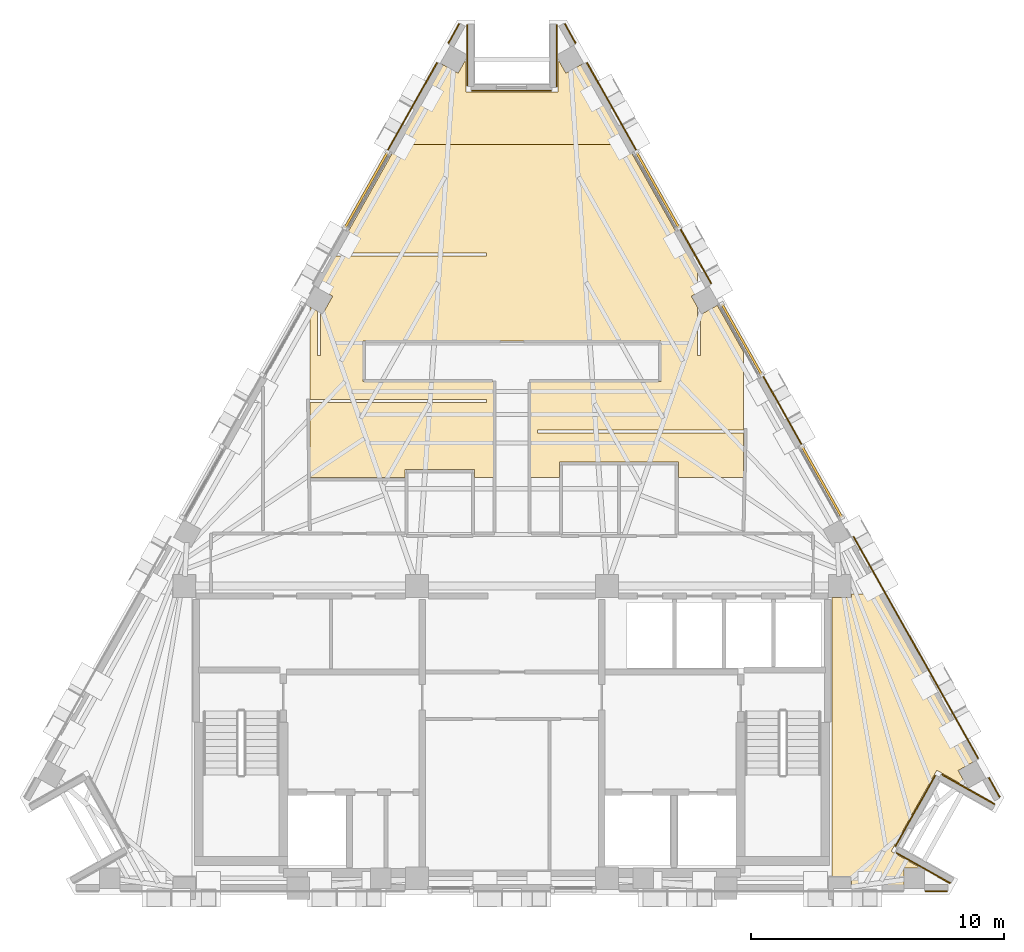
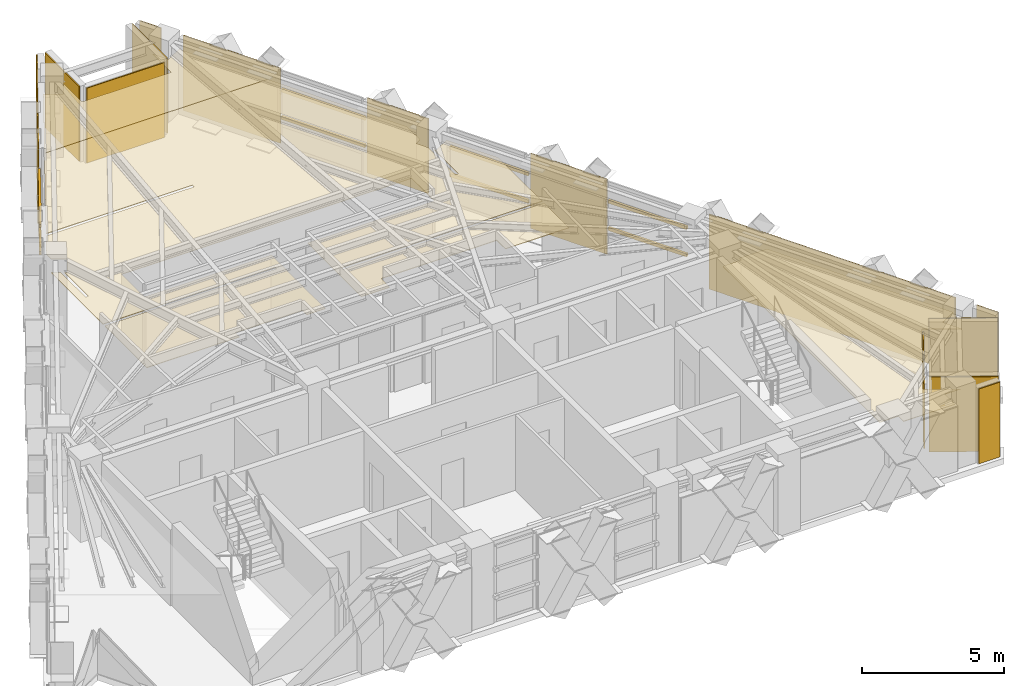
# One storey, part 11 of 11: 18 coverings, 8 shading devices.
"""IFC4 building model written with IfcOpenShell, lengths in metres."""

import ifcopenshell
import ifcopenshell.guid

model = None  # the IFC model being written
_history = None  # IfcOwnerHistory: only IFC2X3 demands one
_inside = {}  # id of a spatial element -> (the spatial element, [elements in it])
_under = {}  # id of a project, library or spatial element -> (it, [spatial elements below it])
_declared = {}  # id of a project -> (the project, [libraries it declares])
_typed = {}  # id of a type object -> (the type object, [elements of that type])
_made_of = {}  # id of a material, layer set ... -> (it, [elements and type objects made of it])


def new_model(schema):
    """Start an empty IFC model of exactly this schema.

    Asked for "IFC4X3", IfcOpenShell would pick the latest addendum, in which some entities
    have other attributes; the version numbers below select the first issue.
    IFC2X3 requires an IfcOwnerHistory on every rooted entity: one is made here for all.
    """
    global model, _history
    if schema == "IFC4X3":
        model = ifcopenshell.file(schema_version=(4, 3, 0, 0))
    else:
        model = ifcopenshell.file(schema=schema)
    _inside.clear()
    _under.clear()
    _declared.clear()
    _typed.clear()
    _made_of.clear()
    _history = None
    if model.schema == "IFC2X3":
        org = make("IfcOrganization", Name="unknown")
        user = make(
            "IfcPersonAndOrganization",
            ThePerson=make("IfcPerson", FamilyName="unknown"),
            TheOrganization=org,
        )
        app = make(
            "IfcApplication",
            ApplicationDeveloper=org,
            Version="unknown",
            ApplicationFullName="unknown",
            ApplicationIdentifier="unknown",
        )
        _history = make(
            "IfcOwnerHistory",
            OwningUser=user,
            OwningApplication=app,
            ChangeAction="ADDED",
            CreationDate=0,
        )
    return model


def make(cls, **values):
    """One entity of the class cls with the attributes given. An attribute that is None is left unset."""
    return model.create_entity(
        cls, **{name: value for name, value in values.items() if value is not None}
    )


def rooted(cls, **values):
    """An entity with a GlobalId (a new one), such as an element, a storey or a relation."""
    return make(cls, GlobalId=ifcopenshell.guid.new(), OwnerHistory=_history, **values)


def si_unit(unit_type, name, prefix=None):
    """IfcSIUnit, for example si_unit("LENGTHUNIT", "METRE", prefix="MILLI")."""
    return make("IfcSIUnit", UnitType=unit_type, Prefix=prefix, Name=name)


def assignment(units):
    """IfcUnitAssignment: the units of a project."""
    return None if units is None else make("IfcUnitAssignment", Units=units)


def point(xyz):
    """IfcCartesianPoint."""
    return None if xyz is None else make("IfcCartesianPoint", Coordinates=xyz)


def direction(xyz):
    """IfcDirection."""
    return None if xyz is None else make("IfcDirection", DirectionRatios=xyz)


def frame(location, z_axis=None, x_axis=None):
    """IfcAxis2Placement3D, a coordinate frame: its origin and axes. An axis left out is left unset."""
    return make(
        "IfcAxis2Placement3D",
        Location=point(location),
        Axis=direction(z_axis),
        RefDirection=direction(x_axis),
    )


def frame_2d(location, x_axis=None):
    """IfcAxis2Placement2D, a coordinate frame in the plane: its origin and x axis."""
    return make(
        "IfcAxis2Placement2D", Location=point(location), RefDirection=direction(x_axis)
    )


def origin():
    """The frame at (0, 0, 0) with its axes left unset."""
    return frame((0.0, 0.0, 0.0))


def origin_2d():
    """The frame at (0, 0) in the plane with its x axis left unset."""
    return frame_2d((0.0, 0.0))


def place(relative_to, where):
    """IfcLocalPlacement: puts the frame where relative to a parent placement (None: the world)."""
    return make(
        "IfcLocalPlacement", PlacementRelTo=relative_to, RelativePlacement=where
    )


def context(
    kind, dimensions, precision=None, world=None, true_north=None, identifier=None
):
    """IfcGeometricRepresentationContext, for example the 3D "Model" context."""
    return make(
        "IfcGeometricRepresentationContext",
        ContextIdentifier=identifier,
        ContextType=kind,
        CoordinateSpaceDimension=dimensions,
        Precision=precision,
        WorldCoordinateSystem=world,
        TrueNorth=true_north,
    )


def subcontext(parent, identifier, kind, view, scale=None):
    """IfcGeometricRepresentationSubContext, for example "Body" below "Model"."""
    return make(
        "IfcGeometricRepresentationSubContext",
        ContextIdentifier=identifier,
        ContextType=kind,
        ParentContext=parent,
        TargetScale=scale,
        TargetView=view,
    )


def project(units=None, contexts=None):
    """IfcProject with its units and contexts."""
    return rooted(
        "IfcProject",
        Name="project",
        RepresentationContexts=contexts,
        UnitsInContext=assignment(units),
    )


def spatial(cls, under=None, at=None, **own):
    """A site, building, storey or space (cls), placed at a placement, below another one or the project."""
    s = rooted(cls, ObjectPlacement=at, **own)
    if under is not None:
        _under.setdefault(under.id(), (under, []))[1].append(s)
    return s


def polyline(points):
    """IfcPolyline through the points."""
    return make("IfcPolyline", Points=[point(p) for p in points])


def profile(cls, at=None, kind="AREA", **sizes):
    """A parametric profile (cls). Its sizes go by their IFC names, for example OverallWidth=200.0."""
    return make(cls, ProfileType=kind, Position=at, **sizes)


def rectangle(**sizes):
    """IfcRectangleProfileDef."""
    return profile("IfcRectangleProfileDef", **sizes)


def outline(outer, holes=None, kind="AREA"):
    """IfcArbitraryClosedProfileDef: a profile drawn as a closed curve; with holes, ...WithVoids."""
    if holes is None:
        return make("IfcArbitraryClosedProfileDef", ProfileType=kind, OuterCurve=outer)
    return make(
        "IfcArbitraryProfileDefWithVoids",
        ProfileType=kind,
        OuterCurve=outer,
        InnerCurves=holes,
    )


def extrude(swept, where, along, depth):
    """IfcExtrudedAreaSolid: the profile swept, set in the frame where, extruded along a direction by depth."""
    return make(
        "IfcExtrudedAreaSolid",
        SweptArea=swept,
        Position=where,
        ExtrudedDirection=direction(along),
        Depth=depth,
    )


def shape(context_of_items, identifier, shape_type, items):
    """IfcShapeRepresentation: the items that make up one representation, for example the "Body"."""
    return make(
        "IfcShapeRepresentation",
        ContextOfItems=context_of_items,
        RepresentationIdentifier=identifier,
        RepresentationType=shape_type,
        Items=items,
    )


def material(Name=None, Category=None):
    """IfcMaterial."""
    return make("IfcMaterial", Name=Name, Category=Category)


def layer(
    of_material, thickness, ventilated=None, Name=None, Category=None, Priority=None
):
    """IfcMaterialLayer: one layer of a wall or slab, of a material (None: an air gap)."""
    return make(
        "IfcMaterialLayer",
        Material=of_material,
        LayerThickness=thickness,
        IsVentilated=ventilated,
        Name=Name,
        Category=Category,
        Priority=Priority,
    )


def layer_set(layers, Name=None):
    """IfcMaterialLayerSet."""
    return make("IfcMaterialLayerSet", MaterialLayers=layers, LayerSetName=Name)


def material_profile(
    of_material, cross_section, Name=None, Category=None, Priority=None
):
    """IfcMaterialProfile: a cross section and its material."""
    return make(
        "IfcMaterialProfile",
        Name=Name,
        Material=of_material,
        Profile=cross_section,
        Priority=Priority,
        Category=Category,
    )


def profile_set(profiles, Name=None, composite=None):
    """IfcMaterialProfileSet."""
    return make(
        "IfcMaterialProfileSet",
        Name=Name,
        MaterialProfiles=profiles,
        CompositeProfile=composite,
    )


def made_of(thing, what):
    """Note that an element or type object is made of a material, layer set ...; save() writes the relation."""
    if what is not None:
        _made_of.setdefault(what.id(), (what, []))[1].append(thing)
    return thing


def type_object(cls, material=None, **own):
    """A type object (cls), such as IfcWallType, which elements share."""
    return made_of(rooted(cls, **own), material)


def element(
    cls,
    number,
    at=None,
    inside=None,
    cuts=None,
    type_object=None,
    material=None,
    context=None,
    identifier="Body",
    shape_type=None,
    held_by="IfcProductDefinitionShape",
    body=None,
    shapes=None,
    **own,
):
    """One element of the class cls, such as IfcWall. Its Tag is "e" and its number.

    at: its placement. inside: the storey or other place that contains it. cuts: it is an
    opening in that element (IfcRelVoidsElement). A single representation is given by context,
    identifier, shape_type and body (its items); several are given by shapes. held_by: the class
    of the entity that holds the representations. save() writes the other relations.
    """
    e = rooted(cls, Tag="e%d" % number, ObjectPlacement=at, **own)
    if body is not None:
        shapes = [shape(context, identifier, shape_type, body)]
    if shapes is not None:
        e.Representation = make(held_by, Representations=shapes)
    if inside is not None:
        _inside.setdefault(inside.id(), (inside, []))[1].append(e)
    if cuts is not None:
        rooted(
            "IfcRelVoidsElement", RelatingBuildingElement=cuts, RelatedOpeningElement=e
        )
    if type_object is not None:
        _typed.setdefault(type_object.id(), (type_object, []))[1].append(e)
    return made_of(e, material)


def aggregate(whole, parts):
    """IfcRelAggregates: a whole, such as a stair, and the parts it consists of."""
    return rooted("IfcRelAggregates", RelatingObject=whole, RelatedObjects=parts)


def save(model, path):
    """Write the relations noted so far, then the file.

    IfcRelAggregates (storeys below a building ...), IfcRelContainedInSpatialStructure (elements
    in a storey), IfcRelDefinesByType, IfcRelAssociatesMaterial and IfcRelDeclares: one each for
    every whole, place, type object, material and project.
    """
    for whole, parts in _under.values():
        aggregate(whole, parts)
    for where, things in _inside.values():
        rooted(
            "IfcRelContainedInSpatialStructure",
            RelatedElements=things,
            RelatingStructure=where,
        )
    for kind, things in _typed.values():
        rooted("IfcRelDefinesByType", RelatedObjects=things, RelatingType=kind)
    for what, things in _made_of.values():
        rooted("IfcRelAssociatesMaterial", RelatedObjects=things, RelatingMaterial=what)
    for by, libraries in _declared.values():
        rooted("IfcRelDeclares", RelatingContext=by, RelatedDefinitions=libraries)
    model.write(path)


model = new_model("IFC4")

# Units and contexts
model_context = context("Model", 3, precision=1e-05, world=origin(), true_north=direction((0.0, 1.0)))
body_context = subcontext(model_context, "Body", "Model", "MODEL_VIEW")
ifc_project = project(units=[si_unit("LENGTHUNIT", "METRE"), si_unit("AREAUNIT", "SQUARE_METRE"), si_unit("VOLUMEUNIT", "CUBIC_METRE"), si_unit("PLANEANGLEUNIT", "RADIAN"), si_unit("MASSUNIT", "GRAM", prefix="KILO")], contexts=[model_context])

# Site, building, storey
site_placement = place(None, origin())
site = spatial("IfcSite", under=ifc_project, at=site_placement, CompositionType="ELEMENT")
building_placement = place(site_placement, origin())
building = spatial("IfcBuilding", under=site, at=building_placement, Name="Quenlor Broadcast Tower", CompositionType="ELEMENT")
storey_placement = place(building_placement, frame((0.0, 0.0, 253.39990234375)))
storey = spatial("IfcBuildingStorey", under=building, at=storey_placement, Name="L70", CompositionType="ELEMENT", Elevation=253.39990234375)

# Coverings
ifc_material_1 = material(Name="Acoustic Mineral Fibre Board", Category="other")
ifc_layer_1 = layer(ifc_material_1, 0.02490234375)
ifc_layer_set_1 = layer_set([ifc_layer_1], Name="Acoustic Perforated Mineral Tile Ceiling 25")
covering_type_1 = type_object("IfcCoveringType", Name="Acoustic Perforated Mineral Tile Ceiling 25", PredefinedType="CEILING", material=ifc_layer_set_1)
covering_1_placement = place(storey_placement, frame((0.0, 0.0, 2.714599609375)))
element("IfcCovering", 1, at=covering_1_placement, inside=storey, type_object=covering_type_1, Name="L70 Acoustic Ceiling L70-24", PredefinedType="CEILING", context=body_context, shape_type="SweptSolid", body=[
    extrude(outline(polyline([(-7.679931640625, 4.300048828125), (-7.56005859375, 4.300048828125), (-7.56005859375, 5.975341796875), (-7.48583984375, 5.93359375), (-7.0859375, 6.64501953125), (-7.56005859375, 6.91162109375), (-7.56005859375, 7.2666015625), (-7.012451171875, 8.239990234375), (-1.0, 8.239990234375), (-1.0, 8.360107421875), (-6.94482421875, 8.360107421875), (-4.53173828125, 12.64990234375), (4.53173828125, 12.64990234375), (7.320068359375, 7.693115234375), (7.320068359375, 6.776611328125), (7.0859375, 6.64501953125), (7.320068359375, 6.228515625), (7.320068359375, 4.300048828125), (7.43994140625, 4.300048828125), (7.43994140625, 6.015380859375), (7.48583984375, 5.93359375), (8.11181640625, 6.28564453125), (9.14990234375, 4.439697265625), (9.14990234375, 1.360107421875), (1.0, 1.360107421875), (1.0, 1.239990234375), (9.14990234375, 1.239990234375), (9.14990234375, -0.51318359375), (6.570068359375, -0.51318359375), (6.570068359375, 0.090087890625), (1.8798828125, 0.090087890625), (1.8798828125, -0.51318359375), (0.72998046875, -0.51318359375), (0.72998046875, 3.27001953125), (5.8798828125, 3.27001953125), (5.8798828125, 4.8798828125), (-5.8798828125, 4.8798828125), (-5.8798828125, 3.27001953125), (-0.72998046875, 3.27001953125), (-0.72998046875, -0.51318359375), (-1.47998046875, -0.51318359375), (-1.47998046875, -0.2099609375), (-4.219970703125, -0.2099609375), (-4.219970703125, -0.51318359375), (-7.97509765625, -0.51318359375), (-7.97509765625, 2.43994140625), (-1.0, 2.43994140625), (-1.0, 2.56005859375), (-7.97509765625, 2.56005859375), (-7.97509765625, 6.208740234375), (-7.679931640625, 6.042724609375), (-7.679931640625, 4.300048828125)])), origin(), (0.0, 0.0, 1.0), 0.025146484375),
])
covering_2_placement = place(storey_placement, frame((0.0, 0.0, 2.714599609375)))
element("IfcCovering", 2, at=covering_2_placement, inside=storey, type_object=covering_type_1, Name="L70 Acoustic Ceiling L70-24-2", PredefinedType="CEILING", context=body_context, shape_type="SweptSolid", body=[
    extrude(outline(polyline([(-2.7548828125, 15.808837890625), (-2.129150390625, 15.456787109375), (-1.808837890625, 16.0263671875), (-1.808837890625, 14.719970703125), (1.808837890625, 14.719970703125), (1.808837890625, 16.0263671875), (2.129150390625, 15.456787109375), (2.7548828125, 15.808837890625), (4.53173828125, 12.64990234375), (-4.53173828125, 12.64990234375), (-2.7548828125, 15.808837890625)])), origin(), (0.0, 0.0, 1.0), 0.025146484375),
])
covering_3_placement = place(storey_placement, frame((0.0, 0.0, 2.714599609375)))
element("IfcCovering", 3, at=covering_3_placement, inside=storey, type_object=covering_type_1, Name="L70 Acoustic Ceiling L70-29", PredefinedType="CEILING", context=body_context, shape_type="SweptSolid", body=[
    extrude(outline(polyline([(16.1435546875, -15.94189453125), (15.489501953125, -15.94189453125), (15.489501953125, -16.659912109375), (13.407958984375, -16.659912109375), (13.407958984375, -16.2919921875), (12.64990234375, -16.2919921875), (12.64990234375, -5.258056640625), (13.407958984375, -5.258056640625), (13.407958984375, -5.1201171875), (14.52734375, -5.1201171875), (18.25244140625, -11.7421875), (17.626708984375, -12.09423828125), (18.0087890625, -12.773681640625), (16.785888671875, -12.085693359375), (14.983642578125, -15.28955078125), (16.1435546875, -15.94189453125)])), origin(), (0.0, 0.0, 1.0), 0.025146484375),
])

# Shading devices
ifc_material_2 = material(Name="Architectural Terracotta Ceramic", Category="masonry")
ifc_material_profile = material_profile(ifc_material_2, rectangle(XDim=0.090087890625, YDim=0.139892578125, at=origin_2d()))
ifc_profile_set = profile_set([ifc_material_profile], Name="Architectural Terracotta Ceramic BAG90x140")
shading_device_type = type_object("IfcShadingDeviceType", Name="Copper Terracotta Baguette Solar Screen 140", PredefinedType="USERDEFINED", material=ifc_profile_set)
for number, where, z_axis, x_axis, name in (
    (4, (4.920654296875, 12.331787109375, 1.170166015625), (0.490251066516, -0.871581259425, 0.0), (0.871581259425, 0.490251066516, 0.0), "L70 Terracotta Baguette Screen 1"),
    (5, (4.920654296875, 12.331787109375, 2.340087890625), (0.490251066516, -0.871581259425, 0.0), (0.871581259425, 0.490251066516, 0.0), "L70 Terracotta Baguette Screen 2"),
):
    element("IfcShadingDevice", number, at=place(storey_placement, frame(where, z_axis=z_axis, x_axis=x_axis)), inside=storey, type_object=shading_device_type, Name=name, ObjectType="BAGUETTE", PredefinedType="USERDEFINED", context=body_context, shape_type="SweptSolid", body=[
        extrude(rectangle(XDim=0.090087890625, YDim=0.139892578125, at=origin_2d()), origin(), (0.0, 0.0, 1.0), 3.418212890625),
    ])
for number, where, z_axis, x_axis, name in (
    (6, (8.29296875, 6.336669921875, 1.170166015625), (0.490261239633, -0.871575537125, 0.0), (0.871575537125, 0.490261239633, 0.0), "L70 Terracotta Baguette Screen 1"),
    (7, (8.29296875, 6.336669921875, 2.340087890625), (0.490261239633, -0.871575537125, 0.0), (0.871575537125, 0.490261239633, 0.0), "L70 Terracotta Baguette Screen 2"),
    (8, (11.460205078125, 0.706298828125, 1.170166015625), (0.490203442487, -0.871608045496, 0.0), (0.871608045496, 0.490203442487, 0.0), "L70 Terracotta Baguette Screen 1"),
    (9, (11.460205078125, 0.706298828125, 2.340087890625), (0.490203442487, -0.871608045496, 0.0), (0.871608045496, 0.490203442487, 0.0), "L70 Terracotta Baguette Screen 2"),
):
    element("IfcShadingDevice", number, at=place(storey_placement, frame(where, z_axis=z_axis, x_axis=x_axis)), inside=storey, type_object=shading_device_type, Name=name, ObjectType="BAGUETTE", PredefinedType="USERDEFINED", context=body_context, shape_type="SweptSolid", body=[
        extrude(rectangle(XDim=0.090087890625, YDim=0.139892578125, at=origin_2d()), origin(), (0.0, 0.0, 1.0), 3.208984375),
    ])
for number, where, z_axis, x_axis, name in (
    (10, (-6.596435546875, 9.3525390625, 1.170166015625), (0.490251066516, 0.871581259425, 0.0), (-0.871581259425, 0.490251066516, 0.0), "L70 Terracotta Baguette Screen 1"),
    (11, (-6.596435546875, 9.3525390625, 2.340087890625), (0.490251066516, 0.871581259425, 0.0), (-0.871581259425, 0.490251066516, 0.0), "L70 Terracotta Baguette Screen 2"),
):
    element("IfcShadingDevice", number, at=place(storey_placement, frame(where, z_axis=z_axis, x_axis=x_axis)), inside=storey, type_object=shading_device_type, Name=name, ObjectType="BAGUETTE", PredefinedType="USERDEFINED", context=body_context, shape_type="SweptSolid", body=[
        extrude(rectangle(XDim=0.090087890625, YDim=0.139892578125, at=origin_2d()), origin(), (0.0, 0.0, 1.0), 3.418212890625),
    ])

# Coverings
ifc_material_3 = material(Name="Architectural Terracotta Ceramic", Category="masonry")
ifc_layer_2 = layer(ifc_material_3, 0.044921875)
ifc_layer_set_2 = layer_set([ifc_layer_2], Name="Fluted Terracotta Rainscreen Cladding Panel")
covering_type_2 = type_object("IfcCoveringType", Name="Fluted Terracotta Rainscreen Cladding Panel", PredefinedType="CLADDING", material=ifc_layer_set_2)
covering_4_placement = place(storey_placement, frame((0.0, 0.0, 0.02001953125)))
element("IfcCovering", 12, at=covering_4_placement, inside=storey, type_object=covering_type_2, Name="L70 Terracotta Rainscreen Cladding L70-SHD-SS0", PredefinedType="CLADDING", context=body_context, shape_type="SweptSolid", body=[
    extrude(outline(polyline([(17.18994140625, -16.8369140625), (16.33251953125, -16.8369140625), (16.33251953125, -16.882080078125), (17.18994140625, -16.882080078125), (17.18994140625, -16.8369140625)])), origin(), (0.0, 0.0, 1.0), 3.2099609375),
])
covering_5_placement = place(storey_placement, frame((0.0, 0.0, 0.02001953125)))
element("IfcCovering", 13, at=covering_5_placement, inside=storey, type_object=covering_type_2, Name="L70 Terracotta Rainscreen Cladding L70-SHD-NES0", PredefinedType="CLADDING", context=body_context, shape_type="SweptSolid", body=[
    extrude(outline(polyline([(2.06201171875, 17.401611328125), (2.495849609375, 16.630615234375), (2.534912109375, 16.652587890625), (2.101318359375, 17.423583984375), (2.06201171875, 17.401611328125)])), origin(), (0.0, 0.0, 1.0), 3.2099609375),
])
covering_6_placement = place(storey_placement, frame((0.0, 0.0, 0.02001953125)))
element("IfcCovering", 14, at=covering_6_placement, inside=storey, type_object=covering_type_2, Name="L70 Terracotta Rainscreen Cladding L70-SHD-NES1", PredefinedType="CLADDING", context=body_context, shape_type="SweptSolid", body=[
    extrude(outline(polyline([(18.820068359375, -12.39013671875), (19.25390625, -13.161376953125), (19.29296875, -13.139404296875), (18.859130859375, -12.3681640625), (18.820068359375, -12.39013671875)])), origin(), (0.0, 0.0, 1.0), 3.2099609375),
])
covering_7_placement = place(storey_placement, frame((0.0, 0.0, 0.02001953125)))
element("IfcCovering", 15, at=covering_7_placement, inside=storey, type_object=covering_type_2, Name="L70 Terracotta Rainscreen Cladding L70-NEA-SP1", PredefinedType="CLADDING", context=body_context, shape_type="SweptSolid", body=[
    extrude(outline(polyline([(2.94091796875, 15.859619140625), (4.8935546875, 12.388427734375), (4.9326171875, 12.410400390625), (2.980224609375, 15.881591796875), (2.94091796875, 15.859619140625)])), origin(), (0.0, 0.0, 1.0), 3.2099609375),
])
covering_8_placement = place(storey_placement, frame((0.0, 0.0, 0.02001953125)))
element("IfcCovering", 16, at=covering_8_placement, inside=storey, type_object=covering_type_2, Name="L70 Terracotta Rainscreen Cladding L70-NEA-SP2", PredefinedType="CLADDING", context=body_context, shape_type="SweptSolid", body=[
    extrude(outline(polyline([(6.630615234375, 9.300048828125), (7.8515625, 7.129638671875), (7.890625, 7.151611328125), (6.669921875, 9.322021484375), (6.630615234375, 9.300048828125)])), origin(), (0.0, 0.0, 1.0), 3.2099609375),
])
covering_9_placement = place(storey_placement, frame((0.0, 0.0, 0.02001953125)))
element("IfcCovering", 17, at=covering_9_placement, inside=storey, type_object=covering_type_2, Name="L70 Terracotta Rainscreen Cladding L70-EW-NEC", PredefinedType="CLADDING", context=body_context, shape_type="SweptSolid", body=[
    extrude(outline(polyline([(13.471923828125, -2.862060546875), (18.402099609375, -11.626953125), (18.44140625, -11.60498046875), (13.51123046875, -2.840087890625), (13.471923828125, -2.862060546875)])), origin(), (0.0, 0.0, 1.0), 3.2099609375),
])
covering_10_placement = place(storey_placement, frame((0.0, 0.0, 0.02001953125)))
element("IfcCovering", 18, at=covering_10_placement, inside=storey, type_object=covering_type_2, Name="L70 Terracotta Rainscreen Cladding L70-NE-SP1", PredefinedType="CLADDING", context=body_context, shape_type="SweptSolid", body=[
    extrude(outline(polyline([(9.900390625, 3.4873046875), (11.432861328125, 0.7626953125), (11.47216796875, 0.784912109375), (9.939697265625, 3.50927734375), (9.900390625, 3.4873046875)])), origin(), (0.0, 0.0, 1.0), 3.2099609375),
])
covering_11_placement = place(storey_placement, frame((0.0, 0.0, 0.02001953125)))
element("IfcCovering", 19, at=covering_11_placement, inside=storey, type_object=covering_type_2, Name="L70 Terracotta Rainscreen Cladding L70-SHD-NWS1", PredefinedType="CLADDING", context=body_context, shape_type="SweptSolid", body=[
    extrude(outline(polyline([(-2.495849609375, 16.630615234375), (-2.06201171875, 17.401611328125), (-2.101318359375, 17.423583984375), (-2.534912109375, 16.652587890625), (-2.495849609375, 16.630615234375)])), origin(), (0.0, 0.0, 1.0), 3.2099609375),
])
covering_12_placement = place(storey_placement, frame((0.0, 0.0, 0.02001953125)))
element("IfcCovering", 20, at=covering_12_placement, inside=storey, type_object=covering_type_2, Name="L70 Terracotta Rainscreen Cladding L70-NWC-SP2", PredefinedType="CLADDING", context=body_context, shape_type="SweptSolid", body=[
    extrude(outline(polyline([(-4.8935546875, 12.388427734375), (-2.94091796875, 15.859619140625), (-2.980224609375, 15.881591796875), (-4.9326171875, 12.410400390625), (-4.8935546875, 12.388427734375)])), origin(), (0.0, 0.0, 1.0), 3.2099609375),
])
covering_13_placement = place(storey_placement, frame((0.0, 0.0, 0.02001953125)))
element("IfcCovering", 21, at=covering_13_placement, inside=storey, type_object=covering_type_2, Name="L70 Terracotta Rainscreen Cladding L70-CNR-01", PredefinedType="CLADDING", context=body_context, shape_type="SweptSolid", body=[
    extrude(outline(polyline([(17.32666015625, -16.529541015625), (15.199951171875, -15.333251953125), (15.177978515625, -15.372314453125), (17.3046875, -16.568603515625), (17.32666015625, -16.529541015625)])), origin(), (0.0, 0.0, 1.0), 3.2099609375),
])
covering_14_placement = place(storey_placement, frame((0.0, 0.0, 0.02001953125)))
element("IfcCovering", 22, at=covering_14_placement, inside=storey, type_object=covering_type_2, Name="L70 Terracotta Rainscreen Cladding L70-CNR-02", PredefinedType="CLADDING", context=body_context, shape_type="SweptSolid", body=[
    extrude(outline(polyline([(15.16552734375, -15.10498046875), (16.7421875, -12.302001953125), (16.702880859375, -12.280029296875), (15.126220703125, -15.0830078125), (15.16552734375, -15.10498046875)])), origin(), (0.0, 0.0, 1.0), 2.749755859375),
])
covering_15_placement = place(storey_placement, frame((0.0, 0.0, 0.02001953125)))
element("IfcCovering", 23, at=covering_15_placement, inside=storey, type_object=covering_type_2, Name="L70 Terracotta Rainscreen Cladding L70-CNR-03", PredefinedType="CLADDING", context=body_context, shape_type="SweptSolid", body=[
    extrude(outline(polyline([(16.970458984375, -12.267578125), (19.062255859375, -13.444091796875), (19.084228515625, -13.405029296875), (16.992431640625, -12.228271484375), (16.970458984375, -12.267578125)])), origin(), (0.0, 0.0, 1.0), 3.2099609375),
])
covering_16_placement = place(storey_placement, frame((0.0, 0.0, 0.02001953125)))
element("IfcCovering", 24, at=covering_16_placement, inside=storey, type_object=covering_type_2, Name="L70 Terracotta Rainscreen Cladding L70-CNR-07", PredefinedType="CLADDING", context=body_context, shape_type="SweptSolid", body=[
    extrude(outline(polyline([(1.74072265625, 17.3701171875), (1.74072265625, 14.929931640625), (1.785888671875, 14.929931640625), (1.785888671875, 17.3701171875), (1.74072265625, 17.3701171875)])), origin(), (0.0, 0.0, 1.0), 3.2099609375),
])
covering_17_placement = place(storey_placement, frame((0.0, 0.0, 0.02001953125)))
element("IfcCovering", 25, at=covering_17_placement, inside=storey, type_object=covering_type_2, Name="L70 Terracotta Rainscreen Cladding L70-CNR-08", PredefinedType="CLADDING", context=body_context, shape_type="SweptSolid", body=[
    extrude(outline(polyline([(1.558837890625, 14.7880859375), (-1.598876953125, 14.7880859375), (-1.598876953125, 14.742919921875), (1.558837890625, 14.742919921875), (1.558837890625, 14.7880859375)])), origin(), (0.0, 0.0, 1.0), 3.2099609375),
])
covering_18_placement = place(storey_placement, frame((0.0, 0.0, 0.02001953125)))
element("IfcCovering", 26, at=covering_18_placement, inside=storey, type_object=covering_type_2, Name="L70 Terracotta Rainscreen Cladding L70-CNR-09", PredefinedType="CLADDING", context=body_context, shape_type="SweptSolid", body=[
    extrude(outline(polyline([(-1.74072265625, 14.969970703125), (-1.74072265625, 17.3701171875), (-1.785888671875, 17.3701171875), (-1.785888671875, 14.969970703125), (-1.74072265625, 14.969970703125)])), origin(), (0.0, 0.0, 1.0), 3.2099609375),
])

save(model, "model.ifc")
